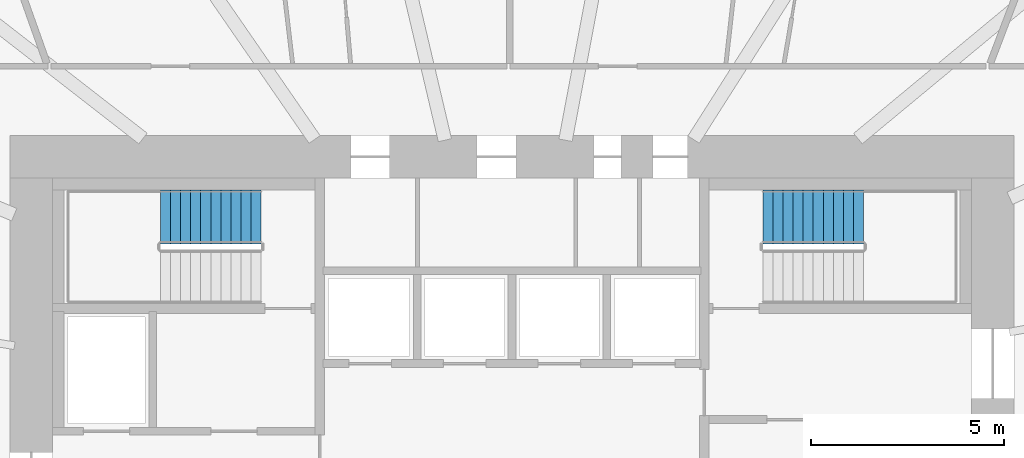
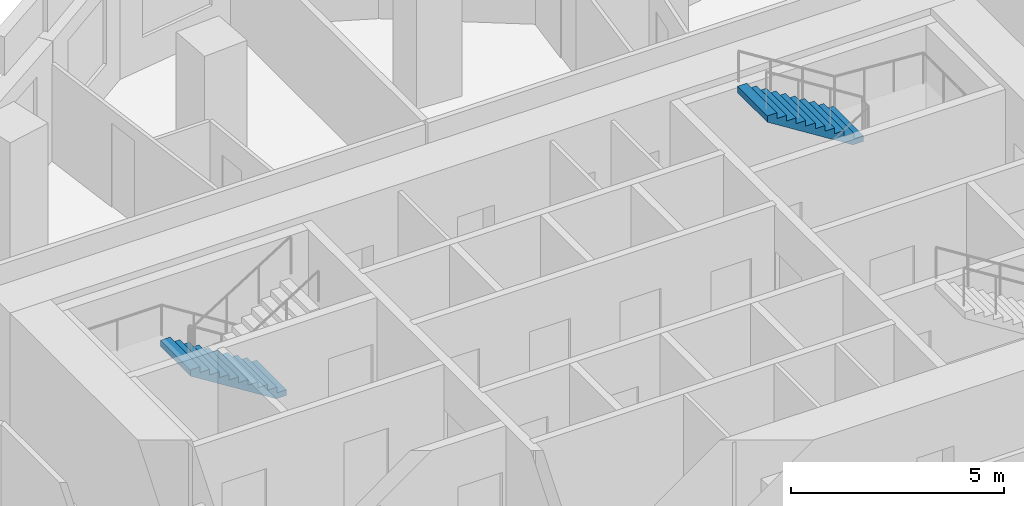
# One storey, part 10 of 11: 2 stair flights, 2 elements without a shape of their own.
"""IFC4 building model written with IfcOpenShell, lengths in metres."""

from ifc_helpers import new_model, si_unit, direction, frame, origin, place, context, subcontext, project, spatial, polyline, outline, extrude, material, type_object, element, aggregate, save


model = new_model("IFC4")

# Units and contexts
model_context = context("Model", 3, precision=1e-05, world=origin(), true_north=direction((0.0, 1.0)))
body_context = subcontext(model_context, "Body", "Model", "MODEL_VIEW")
ifc_project = project(units=[si_unit("LENGTHUNIT", "METRE"), si_unit("AREAUNIT", "SQUARE_METRE"), si_unit("VOLUMEUNIT", "CUBIC_METRE"), si_unit("PLANEANGLEUNIT", "RADIAN"), si_unit("MASSUNIT", "GRAM", prefix="KILO")], contexts=[model_context])

# Site, building, storey
site_placement = place(None, origin())
site = spatial("IfcSite", under=ifc_project, at=site_placement, CompositionType="ELEMENT")
building_placement = place(site_placement, origin())
building = spatial("IfcBuilding", under=site, at=building_placement, Name="Rubra Terraces Tower", CompositionType="ELEMENT")
storey_placement = place(building_placement, frame((0.0, 0.0, 99.60009765625)))
storey = spatial("IfcBuildingStorey", under=building, at=storey_placement, Name="L23", CompositionType="ELEMENT", Elevation=99.60009765625)

# Stair, stair flight
ifc_material = material(Name="Concrete C40", Category="concrete")
stair_type = type_object("IfcStairType", Name="Core stair 1400", PredefinedType="HALF_TURN_STAIR", material=ifc_material)
stair_1_placement = place(storey_placement, origin())
stair_1 = element("IfcStair", 1, at=stair_1_placement, inside=storey, type_object=stair_type, Name="L23 Exit stair S2", PredefinedType="HALF_TURN_STAIR")
stair_flight_type = type_object("IfcStairFlightType", Name="Core stair flight 1400", PredefinedType="STRAIGHT", material=ifc_material)
stair_flight_1_placement = place(storey_placement, frame((-6.5, 9.89990234375, 0.0), z_axis=(0.0, 0.0, 1.0), x_axis=(-1.0, 0.0, 0.0)))
stair_flight_1 = element("IfcStairFlight", 2, at=stair_flight_1_placement, type_object=stair_flight_type, Name="S2 flight 1", NumberOfRisers=11, NumberOfTreads=10, PredefinedType="STRAIGHT", RiserHeight=0.163636364, TreadLength=0.26, context=body_context, shape_type="SweptSolid", body=[
    extrude(outline(polyline([(0.0, 0.0), (0.0, 0.16357421875), (0.260009765625, 0.16357421875), (0.260009765625, 0.327392578125), (0.52001953125, 0.327392578125), (0.52001953125, 0.490966796875), (0.780029296875, 0.490966796875), (0.780029296875, 0.654541015625), (1.0400390625, 0.654541015625), (1.0400390625, 0.818115234375), (1.300048828125, 0.818115234375), (1.300048828125, 0.98193359375), (1.56005859375, 0.98193359375), (1.56005859375, 1.1455078125), (1.820068359375, 1.1455078125), (1.820068359375, 1.30908203125), (2.080078125, 1.30908203125), (2.080078125, 1.47265625), (2.340087890625, 1.47265625), (2.340087890625, 1.636474609375), (2.60009765625, 1.636474609375), (2.60009765625, 1.800048828125), (2.60009765625, 1.459228515625), (0.281494140625, 0.0), (0.0, 0.0)])), frame((0.0, 0.699951171875, 0.0), z_axis=(0.0, -1.0, 0.0), x_axis=(1.0, 0.0, 0.0)), (0.0, 0.0, 1.0), 1.39990234375),
])
aggregate(stair_1, [stair_flight_1])

stair_2_placement = place(storey_placement, origin())
stair_2 = element("IfcStair", 3, at=stair_2_placement, inside=storey, type_object=stair_type, Name="L23 Exit stair S3", PredefinedType="HALF_TURN_STAIR")
stair_flight_2_placement = place(storey_placement, frame((9.10009765625, 9.89990234375, 1.7998046875), z_axis=(0.0, 0.0, 1.0), x_axis=(-1.0, 0.0, 0.0)))
stair_flight_2 = element("IfcStairFlight", 4, at=stair_flight_2_placement, type_object=stair_flight_type, Name="S3 flight 2", NumberOfRisers=11, NumberOfTreads=10, PredefinedType="STRAIGHT", RiserHeight=0.163636364, TreadLength=0.26, context=body_context, shape_type="SweptSolid", body=[
    extrude(outline(polyline([(0.0, 0.0), (0.0, 0.16357421875), (0.260009765625, 0.16357421875), (0.260009765625, 0.327392578125), (0.52001953125, 0.327392578125), (0.52001953125, 0.490966796875), (0.780029296875, 0.490966796875), (0.780029296875, 0.654541015625), (1.0400390625, 0.654541015625), (1.0400390625, 0.818115234375), (1.300048828125, 0.818115234375), (1.300048828125, 0.98193359375), (1.56005859375, 0.98193359375), (1.56005859375, 1.1455078125), (1.820068359375, 1.1455078125), (1.820068359375, 1.30908203125), (2.080078125, 1.30908203125), (2.080078125, 1.47265625), (2.340087890625, 1.47265625), (2.340087890625, 1.636474609375), (2.60009765625, 1.636474609375), (2.60009765625, 1.800048828125), (2.60009765625, 1.459228515625), (0.281494140625, 0.0), (0.0, 0.0)])), frame((0.0, 0.699951171875, 0.0), z_axis=(0.0, -1.0, 0.0), x_axis=(1.0, 0.0, 0.0)), (0.0, 0.0, 1.0), 1.39990234375),
])
aggregate(stair_2, [stair_flight_2])

save(model, "model.ifc")
